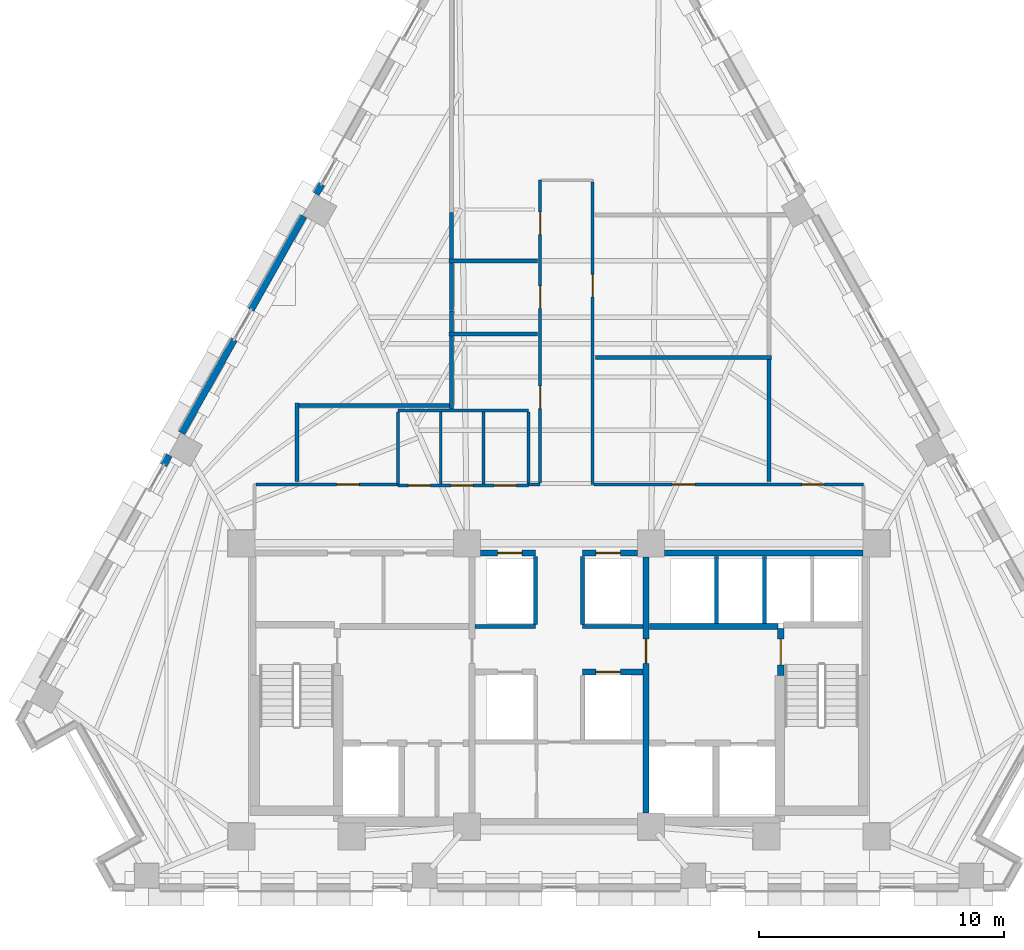
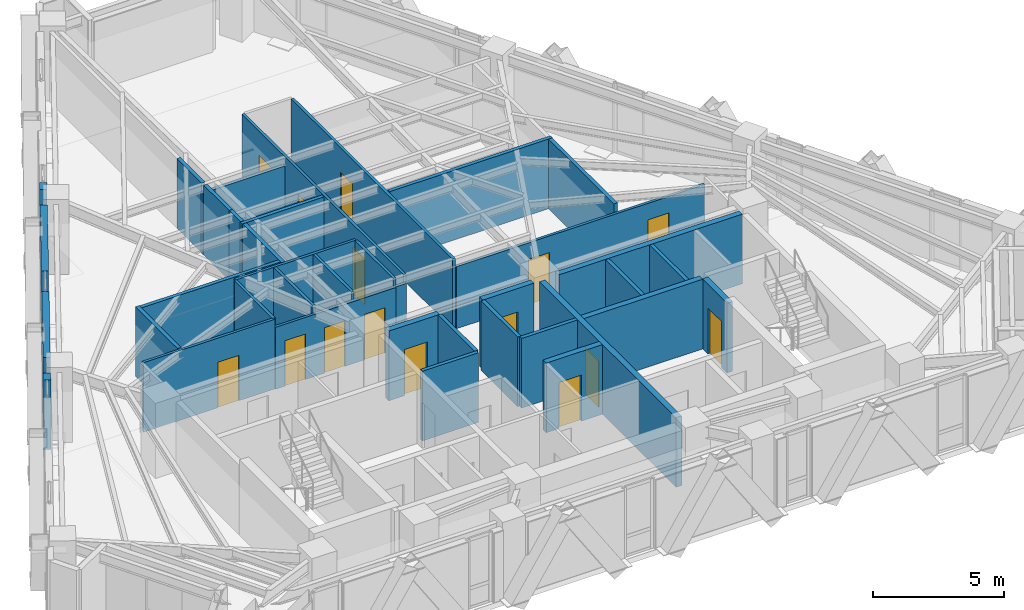
# One storey, part 8 of 13: 38 walls, 15 doors, 15 openings.
"""IFC4 building model written with IfcOpenShell, lengths in metres."""

from ifc_helpers import new_model, si_unit, direction, frame, frame_2d, origin, place, context, subcontext, project, spatial, rectangle, extrude, material, layer, layer_set, type_object, element, fill, save


model = new_model("IFC4")

# Units and contexts
model_context = context("Model", 3, precision=1e-05, world=origin(), true_north=direction((0.0, 1.0)))
body_context = subcontext(model_context, "Body", "Model", "MODEL_VIEW")
ifc_project = project(units=[si_unit("LENGTHUNIT", "METRE"), si_unit("AREAUNIT", "SQUARE_METRE"), si_unit("VOLUMEUNIT", "CUBIC_METRE"), si_unit("PLANEANGLEUNIT", "RADIAN"), si_unit("MASSUNIT", "GRAM", prefix="KILO")], contexts=[model_context])

# Site, building, storey
site_placement = place(None, origin())
site = spatial("IfcSite", under=ifc_project, at=site_placement, CompositionType="ELEMENT")
building_placement = place(site_placement, origin())
building = spatial("IfcBuilding", under=site, at=building_placement, Name="Quenlor Broadcast Tower", CompositionType="ELEMENT")
storey_placement = place(building_placement, frame((0.0, 0.0, 147.5)))
storey = spatial("IfcBuildingStorey", under=building, at=storey_placement, Name="L40", CompositionType="ELEMENT", Elevation=147.5)

# Wall, opening, door
ifc_material_1 = material(Name="Concrete C40/50", Category="concrete")
ifc_layer_1 = layer(ifc_material_1, 0.25)
ifc_layer_set_1 = layer_set([ifc_layer_1], Name="Fire Rated Concrete C40/50 Core Wall 250")
wall_type_1 = type_object("IfcWallType", Name="Fire Rated Concrete C40/50 Core Wall 250", PredefinedType="PARTITIONING", material=ifc_layer_set_1)
wall_1_placement = place(storey_placement, frame((9.0400390625, -10.179931640625, 0.0), z_axis=(0.0, 0.0, 1.0), x_axis=(0.0, 1.0, 0.0)))
wall_1 = element("IfcWall", 1, at=wall_1_placement, inside=storey, type_object=wall_type_1, Name="L40 Interior Wall CW-ST2-DR", PredefinedType="PARTITIONING", context=body_context, shape_type="SweptSolid", body=[
    extrude(rectangle(XDim=1.89990234375, YDim=0.25, at=frame_2d((0.949951171875, 0.0))), origin(), (0.0, 0.0, 1.0), 3.25),
])
opening_1_placement = place(wall_1_placement, frame((0.419921875, 0.0, 0.0)))
opening_1 = element("IfcOpeningElement", 2, at=opening_1_placement, cuts=wall_1, Name="Opening FD-1", PredefinedType="OPENING", context=body_context, shape_type="SweptSolid", body=[
    extrude(rectangle(XDim=1.050048828125, YDim=2.14990234375, at=frame_2d((0.52490234375, 1.074951171875))), frame((0.0, 0.135009765625, 0.0), z_axis=(0.0, -1.0, 0.0), x_axis=(1.0, 0.0, 0.0)), (0.0, 0.0, 1.0), 0.27001953125),
])
ifc_material_2 = material(Name="Fire Rated Steel Door Leaf", Category="steel")
door_type_1 = type_object("IfcDoorType", Name="Fire Isolated Stair Door 1050x2150", OperationType="NOTDEFINED", PredefinedType="DOOR", material=ifc_material_2)
door_1_placement = place(opening_1_placement, origin())
door_1 = element("IfcDoor", 3, at=door_1_placement, inside=storey, type_object=door_type_1, Name="L40 Door DR-ST2", OperationType="SINGLE_SWING_RIGHT", OverallHeight=2.14990234375, OverallWidth=1.050048828125, PredefinedType="DOOR", context=body_context, shape_type="SweptSolid", body=[
    extrude(rectangle(XDim=1.050048828125, YDim=2.14990234375, at=frame_2d((0.52490234375, 1.074951171875))), frame((0.0, 0.02490234375, 0.0), z_axis=(0.0, -1.0, 0.0), x_axis=(1.0, 0.0, 0.0)), (0.0, 0.0, 1.0), 0.050048828125),
])
fill(opening_1, door_1)

# Wall
wall_2_placement = place(storey_placement, frame((3.679931640625, -8.199951171875, 0.0), z_axis=(0.0, 0.0, 1.0), x_axis=(1.0, 0.0, 0.0)))
element("IfcWall", 4, at=wall_2_placement, inside=storey, type_object=wall_type_1, Name="L40 Interior Wall CW-FFE-N", PredefinedType="PARTITIONING", context=body_context, shape_type="SweptSolid", body=[
    extrude(rectangle(XDim=5.239990234375, YDim=0.25, at=frame_2d((2.6201171875, 0.0))), origin(), (0.0, 0.0, 1.0), 3.25),
])

# Wall, opening, door
wall_3_placement = place(storey_placement, frame((3.550048828125, -15.798095703125, 0.0), z_axis=(0.0, 0.0, 1.0), x_axis=(0.0, 1.0, 0.0)))
wall_3 = element("IfcWall", 5, at=wall_3_placement, inside=storey, type_object=wall_type_1, Name="L40 Interior Wall CW-FFE-W", PredefinedType="PARTITIONING", context=body_context, shape_type="SweptSolid", body=[
    extrude(rectangle(XDim=10.446044921875, YDim=0.25, at=frame_2d((5.22314453125, 0.0))), origin(), (0.0, 0.0, 1.0), 3.25),
])
opening_2_placement = place(wall_3_placement, frame((6.097900390625, 0.0, 0.0)))
opening_2 = element("IfcOpeningElement", 6, at=opening_2_placement, cuts=wall_3, Name="Opening FD-2", PredefinedType="OPENING", context=body_context, shape_type="SweptSolid", body=[
    extrude(rectangle(XDim=1.0, YDim=2.14990234375, at=frame_2d((0.5, 1.074951171875))), frame((0.0, 0.135009765625, 0.0), z_axis=(0.0, -1.0, 0.0), x_axis=(1.0, 0.0, 0.0)), (0.0, 0.0, 1.0), 0.27001953125),
])
ifc_material_3 = material(Name="Fire Rated Glazed Steel Door", Category="steel")
door_type_2 = type_object("IfcDoorType", Name="Firefighting Lobby Smoke Door 1000x2150", OperationType="NOTDEFINED", PredefinedType="DOOR", material=ifc_material_3)
door_2_placement = place(opening_2_placement, origin())
door_2 = element("IfcDoor", 7, at=door_2_placement, inside=storey, type_object=door_type_2, Name="L40 Door DR-FFLE", OperationType="SINGLE_SWING_LEFT", OverallHeight=2.14990234375, OverallWidth=1.0, PredefinedType="DOOR", context=body_context, shape_type="SweptSolid", body=[
    extrude(rectangle(XDim=1.0, YDim=2.14990234375, at=frame_2d((0.5, 1.074951171875))), frame((0.0, 0.02490234375, 0.0), z_axis=(0.0, -1.0, 0.0), x_axis=(1.0, 0.0, 0.0)), (0.0, 0.0, 1.0), 0.050048828125),
])
fill(opening_2, door_2)

# Wall
wall_4_placement = place(storey_placement, frame((4.302001953125, -5.199951171875, 0.0), z_axis=(0.0, 0.0, 1.0), x_axis=(1.0, 0.0, 0.0)))
element("IfcWall", 8, at=wall_4_placement, inside=storey, type_object=wall_type_1, Name="L40 Interior Wall CW-N-E", PredefinedType="PARTITIONING", context=body_context, shape_type="SweptSolid", body=[
    extrude(rectangle(XDim=8.095947265625, YDim=0.25, at=frame_2d((4.0478515625, 0.0))), origin(), (0.0, 0.0, 1.0), 3.25),
])

# Wall, opening, door
wall_5_placement = place(storey_placement, frame((-3.197998046875, -5.199951171875, 0.0), z_axis=(0.0, 0.0, 1.0), x_axis=(1.0, 0.0, 0.0)))
wall_5 = element("IfcWall", 9, at=wall_5_placement, inside=storey, type_object=wall_type_1, Name="L40 Interior Wall CW-N-M1", PredefinedType="PARTITIONING", context=body_context, shape_type="SweptSolid", body=[
    extrude(rectangle(XDim=2.248046875, YDim=0.25, at=frame_2d((1.1240234375, 0.0))), origin(), (0.0, 0.0, 1.0), 3.25),
])
opening_3_placement = place(wall_5_placement, frame((0.697998046875, 0.0, 0.0)))
opening_3 = element("IfcOpeningElement", 10, at=opening_3_placement, cuts=wall_5, Name="Opening LD-PL-M1", PredefinedType="OPENING", context=body_context, shape_type="SweptSolid", body=[
    extrude(rectangle(XDim=1.0, YDim=2.14990234375, at=frame_2d((0.5, 1.074951171875))), frame((0.0, 0.135009765625, 0.0), z_axis=(0.0, -1.0, 0.0), x_axis=(1.0, 0.0, 0.0)), (0.0, 0.0, 1.0), 0.27001953125),
])
ifc_material_4 = material(Name="Brushed Stainless Steel", Category="steel")
door_type_3 = type_object("IfcDoorType", Name="Passenger Lift Sliding Landing Door 1000x2150", OperationType="NOTDEFINED", PredefinedType="DOOR", material=ifc_material_4)
door_3_placement = place(opening_3_placement, origin())
door_3 = element("IfcDoor", 11, at=door_3_placement, inside=storey, type_object=door_type_3, Name="L40 Door LD-PL-M1", OperationType="SLIDING_TO_LEFT", OverallHeight=2.14990234375, OverallWidth=1.0, PredefinedType="DOOR", context=body_context, shape_type="SweptSolid", body=[
    extrude(rectangle(XDim=1.0, YDim=2.14990234375, at=frame_2d((0.5, 1.074951171875))), frame((0.0, 0.02490234375, 0.0), z_axis=(0.0, -1.0, 0.0), x_axis=(1.0, 0.0, 0.0)), (0.0, 0.0, 1.0), 0.050048828125),
])
fill(opening_3, door_3)

wall_6_placement = place(storey_placement, frame((0.949951171875, -5.199951171875, 0.0), z_axis=(0.0, 0.0, 1.0), x_axis=(1.0, 0.0, 0.0)))
wall_6 = element("IfcWall", 12, at=wall_6_placement, inside=storey, type_object=wall_type_1, Name="L40 Interior Wall CW-N-M2", PredefinedType="PARTITIONING", context=body_context, shape_type="SweptSolid", body=[
    extrude(rectangle(XDim=2.248046875, YDim=0.25, at=frame_2d((1.1240234375, 0.0))), origin(), (0.0, 0.0, 1.0), 3.25),
])
opening_4_placement = place(wall_6_placement, frame((0.550048828125, 0.0, 0.0)))
opening_4 = element("IfcOpeningElement", 13, at=opening_4_placement, cuts=wall_6, Name="Opening LD-PL-M2", PredefinedType="OPENING", context=body_context, shape_type="SweptSolid", body=[
    extrude(rectangle(XDim=1.0, YDim=2.14990234375, at=frame_2d((0.5, 1.074951171875))), frame((0.0, 0.135009765625, 0.0), z_axis=(0.0, -1.0, 0.0), x_axis=(1.0, 0.0, 0.0)), (0.0, 0.0, 1.0), 0.27001953125),
])
door_4_placement = place(opening_4_placement, origin())
door_4 = element("IfcDoor", 14, at=door_4_placement, inside=storey, type_object=door_type_3, Name="L40 Door LD-PL-M2", OperationType="SLIDING_TO_RIGHT", OverallHeight=2.14990234375, OverallWidth=1.0, PredefinedType="DOOR", context=body_context, shape_type="SweptSolid", body=[
    extrude(rectangle(XDim=1.0, YDim=2.14990234375, at=frame_2d((0.5, 1.074951171875))), frame((0.0, 0.02490234375, 0.0), z_axis=(0.0, -1.0, 0.0), x_axis=(1.0, 0.0, 0.0)), (0.0, 0.0, 1.0), 0.050048828125),
])
fill(opening_4, door_4)

wall_7_placement = place(storey_placement, frame((0.949951171875, -10.050048828125, 0.0), z_axis=(0.0, 0.0, 1.0), x_axis=(1.0, 0.0, 0.0)))
wall_7 = element("IfcWall", 15, at=wall_7_placement, inside=storey, type_object=wall_type_1, Name="L40 Interior Wall CW-MS-N2", PredefinedType="PARTITIONING", context=body_context, shape_type="SweptSolid", body=[
    extrude(rectangle(XDim=2.469970703125, YDim=0.25, at=frame_2d((1.23486328125, 0.0))), origin(), (0.0, 0.0, 1.0), 3.25),
])
opening_5_placement = place(wall_7_placement, frame((0.550048828125, 0.0, 0.0)))
opening_5 = element("IfcOpeningElement", 16, at=opening_5_placement, cuts=wall_7, Name="Opening LD-PL-M4", PredefinedType="OPENING", context=body_context, shape_type="SweptSolid", body=[
    extrude(rectangle(XDim=1.0, YDim=2.14990234375, at=frame_2d((0.5, 1.074951171875))), frame((0.0, 0.135009765625, 0.0), z_axis=(0.0, -1.0, 0.0), x_axis=(1.0, 0.0, 0.0)), (0.0, 0.0, 1.0), 0.27001953125),
])
door_5_placement = place(opening_5_placement, origin())
door_5 = element("IfcDoor", 17, at=door_5_placement, inside=storey, type_object=door_type_3, Name="L40 Door LD-PL-M4", OperationType="SLIDING_TO_RIGHT", OverallHeight=2.14990234375, OverallWidth=1.0, PredefinedType="DOOR", context=body_context, shape_type="SweptSolid", body=[
    extrude(rectangle(XDim=1.0, YDim=2.14990234375, at=frame_2d((0.5, 1.074951171875))), frame((0.0, 0.02490234375, 0.0), z_axis=(0.0, -1.0, 0.0), x_axis=(1.0, 0.0, 0.0)), (0.0, 0.0, 1.0), 0.050048828125),
])
fill(opening_5, door_5)

# Walls
ifc_material_5 = material(Name="Gypsum Fireboard Partition", Category="other")
ifc_layer_2 = layer(ifc_material_5, 0.159912109375)
ifc_layer_set_2 = layer_set([ifc_layer_2], Name="Fire Rated Shaft and Corridor Partition 160")
wall_type_2 = type_object("IfcWallType", Name="Fire Rated Shaft and Corridor Partition 160", PredefinedType="PARTITIONING", material=ifc_layer_set_2)
for number, where, z_axis, x_axis, name in (
    (18, (6.425048828125, -8.072998046875, 0.0), (0.0, 0.0, 1.0), (0.0, 1.0, 0.0), "L40 Interior Wall CW-PLH-D1"),
    (19, (8.375, -8.072998046875, 0.0), (0.0, 0.0, 1.0), (0.0, 1.0, 0.0), "L40 Interior Wall CW-PLH-D2"),
):
    element("IfcWall", number, at=place(storey_placement, frame(where, z_axis=z_axis, x_axis=x_axis)), inside=storey, type_object=wall_type_2, Name=name, PredefinedType="PARTITIONING", context=body_context, shape_type="SweptSolid", body=[
        extrude(rectangle(XDim=2.73291015625, YDim=0.159912109375, at=frame_2d((1.366455078125, 0.0))), origin(), (0.0, 0.0, 1.0), 3.25),
    ])
for number, where, z_axis, x_axis, name in (
    (20, (-0.949951171875, -8.1201171875, 0.0), (0.0, 0.0, 1.0), (0.0, 1.0, 0.0), "L40 Interior Wall CW-CCRP-W"),
    (21, (0.949951171875, -8.1201171875, 0.0), (0.0, 0.0, 1.0), (0.0, 1.0, 0.0), "L40 Interior Wall CW-CCRP-E"),
):
    element("IfcWall", number, at=place(storey_placement, frame(where, z_axis=z_axis, x_axis=x_axis)), inside=storey, type_object=wall_type_2, Name=name, PredefinedType="PARTITIONING", context=body_context, shape_type="SweptSolid", body=[
        extrude(rectangle(XDim=2.780029296875, YDim=0.159912109375, at=frame_2d((1.39013671875, 0.0))), origin(), (0.0, 0.0, 1.0), 3.25),
    ])
for number, where, z_axis, x_axis, name in (
    (22, (-3.419921875, -8.199951171875, 0.0), (0.0, 0.0, 1.0), (1.0, 0.0, 0.0), "L40 Interior Wall CW-M-BACK1"),
    (23, (0.949951171875, -8.199951171875, 0.0), (0.0, 0.0, 1.0), (1.0, 0.0, 0.0), "L40 Interior Wall CW-M-BACK2"),
):
    element("IfcWall", number, at=place(storey_placement, frame(where, z_axis=z_axis, x_axis=x_axis)), inside=storey, type_object=wall_type_2, Name=name, PredefinedType="PARTITIONING", context=body_context, shape_type="SweptSolid", body=[
        extrude(rectangle(XDim=2.469970703125, YDim=0.159912109375, at=frame_2d((1.23486328125, 0.0))), origin(), (0.0, 0.0, 1.0), 3.25),
    ])
wall_8_placement = place(storey_placement, frame((-0.8798828125, 6.705322265625, 0.0), z_axis=(0.0, 0.0, 1.0), x_axis=(-1.0, 0.0, 0.0)))
element("IfcWall", 24, at=wall_8_placement, inside=storey, type_object=wall_type_2, Name="L40 Interior Wall PW-DV-02", PredefinedType="PARTITIONING", context=body_context, shape_type="SweptSolid", body=[
    extrude(rectangle(XDim=3.60009765625, YDim=0.159912109375, at=frame_2d((1.800048828125, 0.0))), origin(), (0.0, 0.0, 1.0), 2.891357421875),
])
wall_9_placement = place(storey_placement, frame((-4.3798828125, 6.787353515625, 0.0), z_axis=(0.0, 0.0, 1.0), x_axis=(0.0, 1.0, 0.0)))
element("IfcWall", 25, at=wall_9_placement, inside=storey, type_object=wall_type_2, Name="L40 Interior Wall PW-DV-04", PredefinedType="PARTITIONING", context=body_context, shape_type="SweptSolid", body=[
    extrude(rectangle(XDim=1.890625, YDim=0.159912109375, at=frame_2d((0.9453125, 0.0))), origin(), (0.0, 0.0, 1.0), 3.25),
])
wall_10_placement = place(storey_placement, frame((8.659912109375, 2.780029296875, 0.0), z_axis=(0.0, 0.0, 1.0), x_axis=(-1.0, 0.0, 0.0)))
element("IfcWall", 26, at=wall_10_placement, inside=storey, type_object=wall_type_2, Name="L40 Interior Wall PW-DV-05", PredefinedType="PARTITIONING", context=body_context, shape_type="SweptSolid", body=[
    extrude(rectangle(XDim=7.179931640625, YDim=0.159912109375, at=frame_2d((3.58984375, 0.0))), origin(), (0.0, 0.0, 1.0), 3.25),
])
wall_11_placement = place(storey_placement, frame((-0.8798828125, 3.72998046875, 0.0), z_axis=(0.0, 0.0, 1.0), x_axis=(-1.0, 0.0, 0.0)))
element("IfcWall", 27, at=wall_11_placement, inside=storey, type_object=wall_type_2, Name="L40 Interior Wall PW-DV-07", PredefinedType="PARTITIONING", context=body_context, shape_type="SweptSolid", body=[
    extrude(rectangle(XDim=3.60009765625, YDim=0.159912109375, at=frame_2d((1.800048828125, 0.0))), origin(), (0.0, 0.0, 1.0), 3.25),
])
wall_12_placement = place(storey_placement, frame((-4.3798828125, 4.679931640625, 0.0), z_axis=(0.0, 0.0, 1.0), x_axis=(0.0, 1.0, 0.0)))
element("IfcWall", 28, at=wall_12_placement, inside=storey, type_object=wall_type_2, Name="L40 Interior Wall PW-DV-08", PredefinedType="PARTITIONING", context=body_context, shape_type="SweptSolid", body=[
    extrude(rectangle(XDim=1.943359375, YDim=0.159912109375, at=frame_2d((0.9716796875, 0.0))), origin(), (0.0, 0.0, 1.0), 3.25),
])
wall_13_placement = place(storey_placement, frame((-4.3798828125, 3.81201171875, 0.0), z_axis=(0.0, 0.0, 1.0), x_axis=(0.0, 1.0, 0.0)))
element("IfcWall", 29, at=wall_13_placement, inside=storey, type_object=wall_type_2, Name="L40 Interior Wall PW-DV-09", PredefinedType="PARTITIONING", context=body_context, shape_type="SweptSolid", body=[
    extrude(rectangle(XDim=0.865966796875, YDim=0.159912109375, at=frame_2d((0.43310546875, 0.0))), origin(), (0.0, 0.0, 1.0), 3.25),
])
wall_14_placement = place(storey_placement, frame((-4.3798828125, 0.669921875, 0.0), z_axis=(0.0, 0.0, 1.0), x_axis=(0.0, 1.0, 0.0)))
element("IfcWall", 30, at=wall_14_placement, inside=storey, type_object=wall_type_2, Name="L40 Interior Wall PW-DV-10", PredefinedType="PARTITIONING", context=body_context, shape_type="SweptSolid", body=[
    extrude(rectangle(XDim=2.97802734375, YDim=0.159912109375, at=frame_2d((1.489013671875, 0.0))), origin(), (0.0, 0.0, 1.0), 3.25),
])
wall_15_placement = place(storey_placement, frame((8.56005859375, 2.697998046875, 0.0), z_axis=(0.0, 0.0, 1.0), x_axis=(0.0, -1.0, 0.0)))
element("IfcWall", 31, at=wall_15_placement, inside=storey, type_object=wall_type_2, Name="L40 Interior Wall PW-DV-11", PredefinedType="PARTITIONING", context=body_context, shape_type="SweptSolid", body=[
    extrude(rectangle(XDim=4.988037109375, YDim=0.159912109375, at=frame_2d((2.494140625, 0.0))), origin(), (0.0, 0.0, 1.0), 3.25),
])
wall_16_placement = place(storey_placement, frame((-10.679931640625, -2.2900390625, 0.0), z_axis=(0.0, 0.0, 1.0), x_axis=(0.0, 1.0, 0.0)))
element("IfcWall", 32, at=wall_16_placement, inside=storey, type_object=wall_type_2, Name="L40 Interior Wall PW-DV-12", PredefinedType="PARTITIONING", context=body_context, shape_type="SweptSolid", body=[
    extrude(rectangle(XDim=3.2099609375, YDim=0.159912109375, at=frame_2d((1.60498046875, 0.0))), origin(), (0.0, 0.0, 1.0), 3.25),
])
wall_17_placement = place(storey_placement, frame((-10.597900390625, 0.820068359375, 0.0), z_axis=(0.0, 0.0, 1.0), x_axis=(1.0, 0.0, 0.0)))
element("IfcWall", 33, at=wall_17_placement, inside=storey, type_object=wall_type_2, Name="L40 Interior Wall PW-DV-13", PredefinedType="PARTITIONING", context=body_context, shape_type="SweptSolid", body=[
    extrude(rectangle(XDim=6.135986328125, YDim=0.159912109375, at=frame_2d((3.06787109375, 0.0))), origin(), (0.0, 0.0, 1.0), 3.25),
])

# Wall, openings, doors
ifc_material_6 = material(Name="Gypsum Plasterboard Partition", Category="other")
ifc_layer_3 = layer(ifc_material_6, 0.1201171875)
ifc_layer_set_3 = layer_set([ifc_layer_3], Name="Standard Office Partition 120")
wall_type_3 = type_object("IfcWallType", Name="Standard Office Partition 120", PredefinedType="PARTITIONING", material=ifc_layer_set_3)
wall_18_placement = place(storey_placement, frame((-6.56005859375, -2.43994140625, 0.0), z_axis=(0.0, 0.0, 1.0), x_axis=(1.0, 0.0, 0.0)))
wall_18 = element("IfcWall", 34, at=wall_18_placement, inside=storey, type_object=wall_type_3, Name="L40 Interior Wall PW-WC-S", PredefinedType="PARTITIONING", context=body_context, shape_type="SweptSolid", body=[
    extrude(rectangle(XDim=5.320068359375, YDim=0.1201171875, at=frame_2d((2.66015625, 0.0))), origin(), (0.0, 0.0, 1.0), 2.891357421875),
])
opening_6_placement = place(wall_18_placement, frame((0.419921875, 0.0, 0.0)))
opening_6 = element("IfcOpeningElement", 35, at=opening_6_placement, cuts=wall_18, Name="Opening ID-3", PredefinedType="OPENING", context=body_context, shape_type="SweptSolid", body=[
    extrude(rectangle(XDim=0.89990234375, YDim=2.1201171875, at=frame_2d((0.449951171875, 1.06005859375))), frame((0.0, 0.070068359375, 0.0), z_axis=(0.0, -1.0, 0.0), x_axis=(1.0, 0.0, 0.0)), (0.0, 0.0, 1.0), 0.14013671875),
])
opening_7_placement = place(wall_18_placement, frame((2.159912109375, 0.0, 0.0)))
opening_7 = element("IfcOpeningElement", 36, at=opening_7_placement, cuts=wall_18, Name="Opening ID-3", PredefinedType="OPENING", context=body_context, shape_type="SweptSolid", body=[
    extrude(rectangle(XDim=0.89990234375, YDim=2.1201171875, at=frame_2d((0.449951171875, 1.06005859375))), frame((0.0, 0.070068359375, 0.0), z_axis=(0.0, -1.0, 0.0), x_axis=(1.0, 0.0, 0.0)), (0.0, 0.0, 1.0), 0.14013671875),
])
opening_8_placement = place(wall_18_placement, frame((3.919921875, 0.0, 0.0)))
opening_8 = element("IfcOpeningElement", 37, at=opening_8_placement, cuts=wall_18, Name="Opening ID-3", PredefinedType="OPENING", context=body_context, shape_type="SweptSolid", body=[
    extrude(rectangle(XDim=0.89990234375, YDim=2.1201171875, at=frame_2d((0.449951171875, 1.06005859375))), frame((0.0, 0.070068359375, 0.0), z_axis=(0.0, -1.0, 0.0), x_axis=(1.0, 0.0, 0.0)), (0.0, 0.0, 1.0), 0.14013671875),
])
ifc_material_7 = material(Name="Moisture Resistant Timber Oak", Category="wood")
door_type_4 = type_object("IfcDoorType", Name="Washroom Privacy Door 900x2120", OperationType="NOTDEFINED", PredefinedType="DOOR", material=ifc_material_7)
door_6_placement = place(opening_6_placement, origin())
door_6 = element("IfcDoor", 38, at=door_6_placement, inside=storey, type_object=door_type_4, Name="L40 Door DR-FWC", OperationType="SINGLE_SWING_LEFT", OverallHeight=2.1201171875, OverallWidth=0.89990234375, PredefinedType="DOOR", context=body_context, shape_type="SweptSolid", body=[
    extrude(rectangle(XDim=0.89990234375, YDim=2.1201171875, at=frame_2d((0.449951171875, 1.06005859375))), frame((0.0, 0.02490234375, 0.0), z_axis=(0.0, -1.0, 0.0), x_axis=(1.0, 0.0, 0.0)), (0.0, 0.0, 1.0), 0.050048828125),
])
fill(opening_6, door_6)
door_7_placement = place(opening_7_placement, origin())
door_7 = element("IfcDoor", 39, at=door_7_placement, inside=storey, type_object=door_type_4, Name="L40 Door DR-MWC", OperationType="SINGLE_SWING_RIGHT", OverallHeight=2.1201171875, OverallWidth=0.89990234375, PredefinedType="DOOR", context=body_context, shape_type="SweptSolid", body=[
    extrude(rectangle(XDim=0.89990234375, YDim=2.1201171875, at=frame_2d((0.449951171875, 1.06005859375))), frame((0.0, 0.02490234375, 0.0), z_axis=(0.0, -1.0, 0.0), x_axis=(1.0, 0.0, 0.0)), (0.0, 0.0, 1.0), 0.050048828125),
])
fill(opening_7, door_7)
door_8_placement = place(opening_8_placement, origin())
door_8 = element("IfcDoor", 40, at=door_8_placement, inside=storey, type_object=door_type_4, Name="L40 Door DR-AWC", OperationType="SINGLE_SWING_RIGHT", OverallHeight=2.1201171875, OverallWidth=0.89990234375, PredefinedType="DOOR", context=body_context, shape_type="SweptSolid", body=[
    extrude(rectangle(XDim=0.89990234375, YDim=2.1201171875, at=frame_2d((0.449951171875, 1.06005859375))), frame((0.0, 0.02490234375, 0.0), z_axis=(0.0, -1.0, 0.0), x_axis=(1.0, 0.0, 0.0)), (0.0, 0.0, 1.0), 0.050048828125),
])
fill(opening_8, door_8)

# Walls
wall_19_placement = place(storey_placement, frame((-6.56005859375, 0.610107421875, 0.0), z_axis=(0.0, 0.0, 1.0), x_axis=(1.0, 0.0, 0.0)))
element("IfcWall", 41, at=wall_19_placement, inside=storey, type_object=wall_type_3, Name="L40 Interior Wall PW-WC-N", PredefinedType="PARTITIONING", context=body_context, shape_type="SweptSolid", body=[
    extrude(rectangle(XDim=5.320068359375, YDim=0.1201171875, at=frame_2d((2.66015625, 0.0))), origin(), (0.0, 0.0, 1.0), 3.25),
])
for number, where, z_axis, x_axis, name in (
    (42, (-6.56005859375, -2.3779296875, 0.0), (0.0, 0.0, 1.0), (0.0, 1.0, 0.0), "L40 Interior Wall PW-WC-W"),
    (43, (-4.820068359375, -2.3779296875, 0.0), (0.0, 0.0, 1.0), (0.0, 1.0, 0.0), "L40 Interior Wall PW-WC-M1"),
    (44, (-3.080078125, -2.3779296875, 0.0), (0.0, 0.0, 1.0), (0.0, 1.0, 0.0), "L40 Interior Wall PW-WC-M2"),
    (45, (-1.239990234375, -2.3779296875, 0.0), (0.0, 0.0, 1.0), (0.0, 1.0, 0.0), "L40 Interior Wall PW-WC-E"),
):
    element("IfcWall", number, at=place(storey_placement, frame(where, z_axis=z_axis, x_axis=x_axis)), inside=storey, type_object=wall_type_3, Name=name, PredefinedType="PARTITIONING", context=body_context, shape_type="SweptSolid", body=[
        extrude(rectangle(XDim=2.926025390625, YDim=0.1201171875, at=frame_2d((1.462890625, 0.0))), origin(), (0.0, 0.0, 1.0), 3.25),
    ])

# Wall, opening, door
wall_20_placement = place(storey_placement, frame((-12.347900390625, -2.39990234375, 0.0), z_axis=(0.0, 0.0, 1.0), x_axis=(1.0, 0.0, 0.0)))
wall_20 = element("IfcWall", 46, at=wall_20_placement, inside=storey, type_object=wall_type_3, Name="L40 Interior Wall PW-CR-02", PredefinedType="PARTITIONING", context=body_context, shape_type="SweptSolid", body=[
    extrude(rectangle(XDim=5.785888671875, YDim=0.1201171875, at=frame_2d((2.89306640625, 0.0))), origin(), (0.0, 0.0, 1.0), 3.25),
])
opening_9_placement = place(wall_20_placement, frame((3.278076171875, 0.0, 0.0)))
opening_9 = element("IfcOpeningElement", 47, at=opening_9_placement, cuts=wall_20, Name="Opening ID-1", PredefinedType="OPENING", context=body_context, shape_type="SweptSolid", body=[
    extrude(rectangle(XDim=0.919921875, YDim=2.1201171875, at=frame_2d((0.4599609375, 1.06005859375))), frame((0.0, 0.070068359375, 0.0), z_axis=(0.0, -1.0, 0.0), x_axis=(1.0, 0.0, 0.0)), (0.0, 0.0, 1.0), 0.14013671875),
])
ifc_material_8 = material(Name="Solid Core Timber Oak", Category="wood")
door_type_5 = type_object("IfcDoorType", Name="Single Leaf Timber Office Door 920x2120", OperationType="NOTDEFINED", PredefinedType="DOOR", material=ifc_material_8)
door_9_placement = place(opening_9_placement, origin())
door_9 = element("IfcDoor", 48, at=door_9_placement, inside=storey, type_object=door_type_5, Name="L40 Door DR-RM06", OperationType="SINGLE_SWING_LEFT", OverallHeight=2.1201171875, OverallWidth=0.919921875, PredefinedType="DOOR", context=body_context, shape_type="SweptSolid", body=[
    extrude(rectangle(XDim=0.919921875, YDim=2.1201171875, at=frame_2d((0.4599609375, 1.06005859375))), frame((0.0, 0.02490234375, 0.0), z_axis=(0.0, -1.0, 0.0), x_axis=(1.0, 0.0, 0.0)), (0.0, 0.0, 1.0), 0.050048828125),
])
fill(opening_9, door_9)

# Wall
wall_21_placement = place(storey_placement, frame((-1.238037109375, -2.39990234375, 0.0), z_axis=(0.0, 0.0, 1.0), x_axis=(1.0, 0.0, 0.0)))
element("IfcWall", 49, at=wall_21_placement, inside=storey, type_object=wall_type_3, Name="L40 Interior Wall PW-CR-02S2", PredefinedType="PARTITIONING", context=body_context, shape_type="SweptSolid", body=[
    extrude(rectangle(XDim=0.468017578125, YDim=0.1201171875, at=frame_2d((0.23388671875, 0.0))), origin(), (0.0, 0.0, 1.0), 2.891357421875),
])

# Wall, openings, doors
wall_22_placement = place(storey_placement, frame((-0.77001953125, -2.337890625, 0.0), z_axis=(0.0, 0.0, 1.0), x_axis=(0.0, 1.0, 0.0)))
wall_22 = element("IfcWall", 50, at=wall_22_placement, inside=storey, type_object=wall_type_3, Name="L40 Interior Wall PW-CR-03", PredefinedType="PARTITIONING", context=body_context, shape_type="SweptSolid", body=[
    extrude(rectangle(XDim=12.337890625, YDim=0.1201171875, at=frame_2d((6.1689453125, 0.0))), origin(), (0.0, 0.0, 1.0), 3.25),
])
opening_10_placement = place(wall_22_placement, frame((10.12109375, 0.0, 0.0)))
opening_10 = element("IfcOpeningElement", 51, at=opening_10_placement, cuts=wall_22, Name="Opening ID-1", PredefinedType="OPENING", context=body_context, shape_type="SweptSolid", body=[
    extrude(rectangle(XDim=0.919921875, YDim=2.1201171875, at=frame_2d((0.4599609375, 1.06005859375))), frame((0.0, 0.070068359375, 0.0), z_axis=(0.0, -1.0, 0.0), x_axis=(1.0, 0.0, 0.0)), (0.0, 0.0, 1.0), 0.14013671875),
])
opening_11_placement = place(wall_22_placement, frame((7.115966796875, 0.0, 0.0)))
opening_11 = element("IfcOpeningElement", 52, at=opening_11_placement, cuts=wall_22, Name="Opening ID-1", PredefinedType="OPENING", context=body_context, shape_type="SweptSolid", body=[
    extrude(rectangle(XDim=0.919921875, YDim=2.1201171875, at=frame_2d((0.4599609375, 1.06005859375))), frame((0.0, 0.070068359375, 0.0), z_axis=(0.0, -1.0, 0.0), x_axis=(1.0, 0.0, 0.0)), (0.0, 0.0, 1.0), 0.14013671875),
])
opening_12_placement = place(wall_22_placement, frame((3.031982421875, 0.0, 0.0)))
opening_12 = element("IfcOpeningElement", 53, at=opening_12_placement, cuts=wall_22, Name="Opening ID-1", PredefinedType="OPENING", context=body_context, shape_type="SweptSolid", body=[
    extrude(rectangle(XDim=0.919921875, YDim=2.1201171875, at=frame_2d((0.4599609375, 1.06005859375))), frame((0.0, 0.070068359375, 0.0), z_axis=(0.0, -1.0, 0.0), x_axis=(1.0, 0.0, 0.0)), (0.0, 0.0, 1.0), 0.14013671875),
])
door_10_placement = place(opening_10_placement, origin())
door_10 = element("IfcDoor", 54, at=door_10_placement, inside=storey, type_object=door_type_5, Name="L40 Door DR-RM01", OperationType="SINGLE_SWING_RIGHT", OverallHeight=2.1201171875, OverallWidth=0.919921875, PredefinedType="DOOR", context=body_context, shape_type="SweptSolid", body=[
    extrude(rectangle(XDim=0.919921875, YDim=2.1201171875, at=frame_2d((0.4599609375, 1.06005859375))), frame((0.0, 0.02490234375, 0.0), z_axis=(0.0, -1.0, 0.0), x_axis=(1.0, 0.0, 0.0)), (0.0, 0.0, 1.0), 0.050048828125),
])
fill(opening_10, door_10)
door_11_placement = place(opening_11_placement, origin())
door_11 = element("IfcDoor", 55, at=door_11_placement, inside=storey, type_object=door_type_5, Name="L40 Door DR-RM03", OperationType="SINGLE_SWING_RIGHT", OverallHeight=2.1201171875, OverallWidth=0.919921875, PredefinedType="DOOR", context=body_context, shape_type="SweptSolid", body=[
    extrude(rectangle(XDim=0.919921875, YDim=2.1201171875, at=frame_2d((0.4599609375, 1.06005859375))), frame((0.0, 0.02490234375, 0.0), z_axis=(0.0, -1.0, 0.0), x_axis=(1.0, 0.0, 0.0)), (0.0, 0.0, 1.0), 0.050048828125),
])
fill(opening_11, door_11)
door_12_placement = place(opening_12_placement, origin())
door_12 = element("IfcDoor", 56, at=door_12_placement, inside=storey, type_object=door_type_5, Name="L40 Door DR-RM04", OperationType="SINGLE_SWING_LEFT", OverallHeight=2.1201171875, OverallWidth=0.919921875, PredefinedType="DOOR", context=body_context, shape_type="SweptSolid", body=[
    extrude(rectangle(XDim=0.919921875, YDim=2.1201171875, at=frame_2d((0.4599609375, 1.06005859375))), frame((0.0, 0.02490234375, 0.0), z_axis=(0.0, -1.0, 0.0), x_axis=(1.0, 0.0, 0.0)), (0.0, 0.0, 1.0), 0.050048828125),
])
fill(opening_12, door_12)

# Wall, opening, door
wall_23_placement = place(storey_placement, frame((1.3701171875, 9.93798828125, 0.0), z_axis=(0.0, 0.0, 1.0), x_axis=(0.0, -1.0, 0.0)))
wall_23 = element("IfcWall", 57, at=wall_23_placement, inside=storey, type_object=wall_type_3, Name="L40 Interior Wall PW-CR-05", PredefinedType="PARTITIONING", context=body_context, shape_type="SweptSolid", body=[
    extrude(rectangle(XDim=12.337890625, YDim=0.1201171875, at=frame_2d((6.1689453125, 0.0))), origin(), (0.0, 0.0, 1.0), 3.25),
])
opening_13_placement = place(wall_23_placement, frame((3.778076171875, 0.0, 0.0)))
opening_13 = element("IfcOpeningElement", 58, at=opening_13_placement, cuts=wall_23, Name="Opening ID-1", PredefinedType="OPENING", context=body_context, shape_type="SweptSolid", body=[
    extrude(rectangle(XDim=0.919921875, YDim=2.1201171875, at=frame_2d((0.4599609375, 1.06005859375))), frame((0.0, 0.070068359375, 0.0), z_axis=(0.0, -1.0, 0.0), x_axis=(1.0, 0.0, 0.0)), (0.0, 0.0, 1.0), 0.14013671875),
])
door_13_placement = place(opening_13_placement, origin())
door_13 = element("IfcDoor", 59, at=door_13_placement, inside=storey, type_object=door_type_5, Name="L40 Door DR-RM02", OperationType="SINGLE_SWING_LEFT", OverallHeight=2.1201171875, OverallWidth=0.919921875, PredefinedType="DOOR", context=body_context, shape_type="SweptSolid", body=[
    extrude(rectangle(XDim=0.919921875, YDim=2.1201171875, at=frame_2d((0.4599609375, 1.06005859375))), frame((0.0, 0.02490234375, 0.0), z_axis=(0.0, -1.0, 0.0), x_axis=(1.0, 0.0, 0.0)), (0.0, 0.0, 1.0), 0.050048828125),
])
fill(opening_13, door_13)

# Wall, openings, doors
wall_24_placement = place(storey_placement, frame((1.431884765625, -2.39990234375, 0.0), z_axis=(0.0, 0.0, 1.0), x_axis=(1.0, 0.0, 0.0)))
wall_24 = element("IfcWall", 60, at=wall_24_placement, inside=storey, type_object=wall_type_3, Name="L40 Interior Wall PW-CR-06", PredefinedType="PARTITIONING", context=body_context, shape_type="SweptSolid", body=[
    extrude(rectangle(XDim=10.97802734375, YDim=0.1201171875, at=frame_2d((5.489013671875, 0.0))), origin(), (0.0, 0.0, 1.0), 2.891357421875),
])
opening_14_placement = place(wall_24_placement, frame((3.181884765625, 0.0, 0.0)))
opening_14 = element("IfcOpeningElement", 61, at=opening_14_placement, cuts=wall_24, Name="Opening ID-1", PredefinedType="OPENING", context=body_context, shape_type="SweptSolid", body=[
    extrude(rectangle(XDim=0.919921875, YDim=2.1201171875, at=frame_2d((0.4599609375, 1.06005859375))), frame((0.0, 0.070068359375, 0.0), z_axis=(0.0, -1.0, 0.0), x_axis=(1.0, 0.0, 0.0)), (0.0, 0.0, 1.0), 0.14013671875),
])
opening_15_placement = place(wall_24_placement, frame((8.464111328125, 0.0, 0.0)))
opening_15 = element("IfcOpeningElement", 62, at=opening_15_placement, cuts=wall_24, Name="Opening ID-1", PredefinedType="OPENING", context=body_context, shape_type="SweptSolid", body=[
    extrude(rectangle(XDim=0.919921875, YDim=2.1201171875, at=frame_2d((0.4599609375, 1.06005859375))), frame((0.0, 0.070068359375, 0.0), z_axis=(0.0, -1.0, 0.0), x_axis=(1.0, 0.0, 0.0)), (0.0, 0.0, 1.0), 0.14013671875),
])
door_14_placement = place(opening_14_placement, origin())
door_14 = element("IfcDoor", 63, at=door_14_placement, inside=storey, type_object=door_type_5, Name="L40 Door DR-RM05", OperationType="SINGLE_SWING_RIGHT", OverallHeight=2.1201171875, OverallWidth=0.919921875, PredefinedType="DOOR", context=body_context, shape_type="SweptSolid", body=[
    extrude(rectangle(XDim=0.919921875, YDim=2.1201171875, at=frame_2d((0.4599609375, 1.06005859375))), frame((0.0, 0.02490234375, 0.0), z_axis=(0.0, -1.0, 0.0), x_axis=(1.0, 0.0, 0.0)), (0.0, 0.0, 1.0), 0.050048828125),
])
fill(opening_14, door_14)
door_15_placement = place(opening_15_placement, origin())
door_15 = element("IfcDoor", 64, at=door_15_placement, inside=storey, type_object=door_type_5, Name="L40 Door DR-RM07", OperationType="SINGLE_SWING_RIGHT", OverallHeight=2.1201171875, OverallWidth=0.919921875, PredefinedType="DOOR", context=body_context, shape_type="SweptSolid", body=[
    extrude(rectangle(XDim=0.919921875, YDim=2.1201171875, at=frame_2d((0.4599609375, 1.06005859375))), frame((0.0, 0.02490234375, 0.0), z_axis=(0.0, -1.0, 0.0), x_axis=(1.0, 0.0, 0.0)), (0.0, 0.0, 1.0), 0.050048828125),
])
fill(opening_15, door_15)

# Walls
ifc_material_9 = material(Name="Precast concrete C40/50", Category="concrete")
ifc_layer_4 = layer(ifc_material_9, 0.280029296875)
ifc_layer_set_4 = layer_set([ifc_layer_4], Name="Terracotta Precast Concrete C40/50 Facade Wall 280")
wall_type_4 = type_object("IfcWallType", Name="Terracotta Precast Concrete C40/50 Facade Wall 280", PredefinedType="STANDARD", material=ifc_layer_set_4)
for number, where, z_axis, x_axis, name in (
    (65, (-16.120849609375, -1.6162109375, 0.0), (0.0, 0.0, 1.0), (0.490009165718, 0.871717280724, 0.0), "L40 Exterior Wall L40-NWA-SP3"),
    (66, (-9.899658203125, 9.44384765625, 0.0), (0.0, 0.0, 1.0), (0.490412424957, 0.871490478116, 0.0), "L40 Exterior Wall L40-NWC-SP1"),
):
    element("IfcWall", number, at=place(storey_placement, frame(where, z_axis=z_axis, x_axis=x_axis)), inside=storey, type_object=wall_type_4, Name=name, PredefinedType="STANDARD", context=body_context, shape_type="SweptSolid", body=[
        extrude(rectangle(XDim=0.4599609375, YDim=0.280029296875, at=frame_2d((0.22998046875, 0.0))), origin(), (0.0, 0.0, 1.0), 3.25),
    ])
wall_25_placement = place(storey_placement, frame((-15.383056640625, -0.3046875, 0.0), z_axis=(0.0, 0.0, 1.0), x_axis=(0.490232095789, 0.871591929895, 0.0)))
element("IfcWall", 67, at=wall_25_placement, inside=storey, type_object=wall_type_4, Name="L40 Exterior Wall L40-NW-SP1", PredefinedType="STANDARD", context=body_context, shape_type="SweptSolid", body=[
    extrude(rectangle(XDim=4.375, YDim=0.280029296875, at=frame_2d((2.1875, 0.0))), origin(), (0.0, 0.0, 1.0), 3.25),
])
wall_26_placement = place(storey_placement, frame((-12.556884765625, 4.7197265625, 0.0), z_axis=(0.0, 0.0, 1.0), x_axis=(0.490274486291, 0.871568085747, 0.0)))
element("IfcWall", 68, at=wall_26_placement, inside=storey, type_object=wall_type_4, Name="L40 Exterior Wall L40-NW-SP2", PredefinedType="STANDARD", context=body_context, shape_type="SweptSolid", body=[
    extrude(rectangle(XDim=4.375244140625, YDim=0.280029296875, at=frame_2d((2.1875, 0.0))), origin(), (0.0, 0.0, 1.0), 3.25),
])

save(model, "model.ifc")
